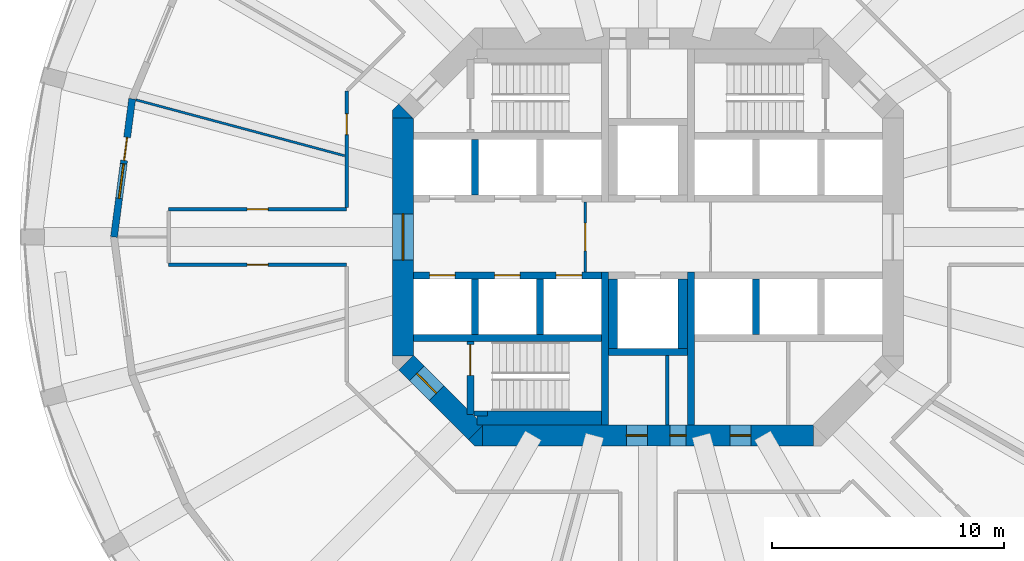
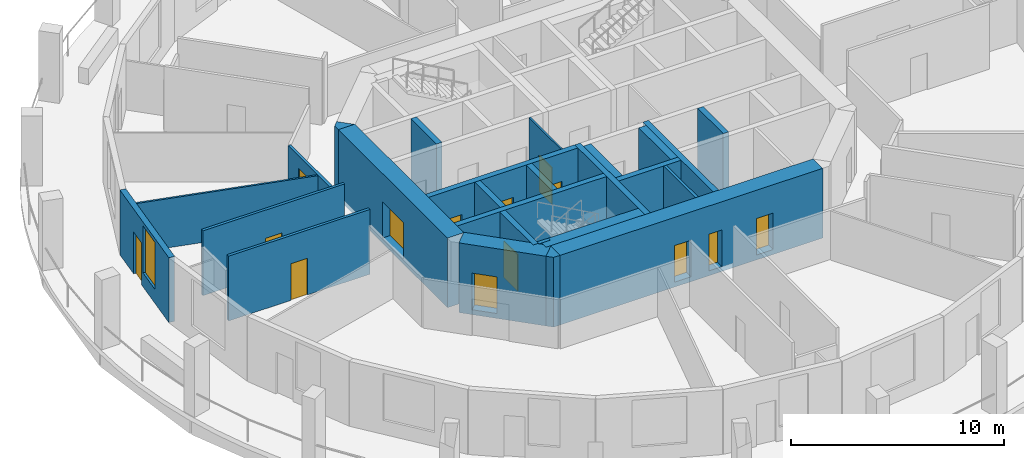
# One storey, part 3 of 9: 26 walls, 14 doors, 1 window, 15 openings.
"""IFC4 building model written with IfcOpenShell, lengths in metres."""

from ifc_helpers import new_model, si_unit, direction, frame, frame_2d, origin, place, context, subcontext, project, spatial, polyline, rectangle, outline, extrude, material, layer, layer_set, type_object, element, fill, save


model = new_model("IFC4")

# Units and contexts
model_context = context("Model", 3, precision=1e-05, world=origin(), true_north=direction((0.0, 1.0)))
body_context = subcontext(model_context, "Body", "Model", "MODEL_VIEW")
ifc_project = project(units=[si_unit("LENGTHUNIT", "METRE"), si_unit("AREAUNIT", "SQUARE_METRE"), si_unit("VOLUMEUNIT", "CUBIC_METRE"), si_unit("PLANEANGLEUNIT", "RADIAN"), si_unit("MASSUNIT", "GRAM", prefix="KILO")], contexts=[model_context])

# Site, building, storey
site_placement = place(None, origin())
site = spatial("IfcSite", under=ifc_project, at=site_placement, CompositionType="ELEMENT")
building_placement = place(site_placement, origin())
building = spatial("IfcBuilding", under=site, at=building_placement, Name="Torre Triforio", CompositionType="ELEMENT")
storey_placement = place(building_placement, frame((0.0, 0.0, 31.0)))
storey = spatial("IfcBuildingStorey", under=building, at=storey_placement, Name="L05", CompositionType="ELEMENT", Elevation=31.0)

# Walls
ifc_material_1 = material(Name="Concrete C60", Category="concrete")
ifc_layer_1 = layer(ifc_material_1, 0.300048828125)
ifc_layer_set_1 = layer_set([ifc_layer_1], Name="Concrete C60")
wall_type_1 = type_object("IfcWallType", Name="Core wall 300 mm C60 EI 120", PredefinedType="SHEAR", material=ifc_layer_set_1)
for number, where, z_axis, x_axis, name in (
    (1, (-1.85009765625, -8.10009765625, 0.0), (0.0, 0.0, 1.0), (0.0, 1.0, 0.0), "Core wall"),
    (2, (1.85009765625, -8.10009765625, 0.0), (0.0, 0.0, 1.0), (0.0, 1.0, 0.0), "Core wall"),
):
    element("IfcWall", number, at=place(storey_placement, frame(where, z_axis=z_axis, x_axis=x_axis)), inside=storey, type_object=wall_type_1, Name=name, PredefinedType="SHEAR", context=body_context, shape_type="SweptSolid", body=[
        extrude(rectangle(XDim=6.60009765625, YDim=0.300048828125, at=frame_2d((3.300048828125, 0.0))), origin(), (0.0, 0.0, 1.0), 3.719970703125),
    ])

# Wall, openings, doors
ifc_layer_2 = layer(ifc_material_1, 0.89990234375)
ifc_layer_set_2 = layer_set([ifc_layer_2], Name="Concrete C60")
wall_type_2 = type_object("IfcWallType", Name="Core wall 900 mm C60 EI 120", PredefinedType="SHEAR", material=ifc_layer_set_2)
wall_1_placement = place(storey_placement, frame((-7.1298828125, -8.550048828125, -0.280029296875), z_axis=(0.0, 0.0, 1.0), x_axis=(1.0, 0.0, 0.0)))
wall_1 = element("IfcWall", 3, at=wall_1_placement, inside=storey, type_object=wall_type_2, Name="Core wall", PredefinedType="SHEAR", context=body_context, shape_type="SweptSolid", body=[
    extrude(rectangle(XDim=14.259765625, YDim=0.89990234375, at=frame_2d((7.1298828125, 0.0))), origin(), (0.0, 0.0, 1.0), 4.0),
])
opening_1_placement = place(wall_1_placement, frame((8.080078125, 0.0, 0.280029296875)))
opening_1 = element("IfcOpeningElement", 4, at=opening_1_placement, cuts=wall_1, Name="Opening RISER-S", PredefinedType="OPENING", context=body_context, shape_type="SweptSolid", body=[
    extrude(rectangle(XDim=0.699951171875, YDim=2.10009765625, at=frame_2d((0.35009765625, 1.050048828125))), frame((0.0, 0.4599609375, 0.0), z_axis=(0.0, -1.0, 0.0), x_axis=(1.0, 0.0, 0.0)), (0.0, 0.0, 1.0), 0.919921875),
])
opening_2_placement = place(wall_1_placement, frame((6.205078125, 0.0, 0.280029296875)))
opening_2 = element("IfcOpeningElement", 5, at=opening_2_placement, cuts=wall_1, Name="Opening SW-01B", PredefinedType="OPENING", context=body_context, shape_type="SweptSolid", body=[
    extrude(rectangle(XDim=0.89990234375, YDim=2.10009765625, at=frame_2d((0.449951171875, 1.050048828125))), frame((0.0, 0.4599609375, 0.0), z_axis=(0.0, -1.0, 0.0), x_axis=(1.0, 0.0, 0.0)), (0.0, 0.0, 1.0), 0.919921875),
])
opening_3_placement = place(wall_1_placement, frame((10.66748046875, 0.0, 0.280029296875)))
opening_3 = element("IfcOpeningElement", 6, at=opening_3_placement, cuts=wall_1, Name="Opening SE-01A", PredefinedType="OPENING", context=body_context, shape_type="SweptSolid", body=[
    extrude(rectangle(XDim=0.89990234375, YDim=2.10009765625, at=frame_2d((0.449951171875, 1.050048828125))), frame((0.0, 0.4599609375, 0.0), z_axis=(0.0, -1.0, 0.0), x_axis=(1.0, 0.0, 0.0)), (0.0, 0.0, 1.0), 0.919921875),
])
ifc_material_2 = material(Name="Hollow metal fire door leaf")
door_type_1 = type_object("IfcDoorType", Name="Riser door 700 x 2100 EI 60", OperationType="NOTDEFINED", PredefinedType="DOOR", material=ifc_material_2)
door_1_placement = place(opening_1_placement, origin())
door_1 = element("IfcDoor", 7, at=door_1_placement, inside=storey, type_object=door_type_1, Name="Core door RISER-S", OperationType="SINGLE_SWING_RIGHT", OverallHeight=2.10009765625, OverallWidth=0.699951171875, PredefinedType="DOOR", context=body_context, shape_type="SweptSolid", body=[
    extrude(rectangle(XDim=0.699951171875, YDim=2.10009765625, at=frame_2d((0.35009765625, 1.050048828125))), frame((0.0, 0.02490234375, 0.0), z_axis=(0.0, -1.0, 0.0), x_axis=(1.0, 0.0, 0.0)), (0.0, 0.0, 1.0), 0.050048828125),
])
fill(opening_1, door_1)
door_type_2 = type_object("IfcDoorType", Name="Room door 900 x 2100 EI 60", OperationType="NOTDEFINED", PredefinedType="DOOR", material=ifc_material_2)
door_2_placement = place(opening_2_placement, origin())
door_2 = element("IfcDoor", 8, at=door_2_placement, inside=storey, type_object=door_type_2, Name="Core door SW-01", OperationType="SINGLE_SWING_LEFT", OverallHeight=2.10009765625, OverallWidth=0.89990234375, PredefinedType="DOOR", context=body_context, shape_type="SweptSolid", body=[
    extrude(rectangle(XDim=0.89990234375, YDim=2.10009765625, at=frame_2d((0.449951171875, 1.050048828125))), frame((0.0, 0.02490234375, 0.0), z_axis=(0.0, -1.0, 0.0), x_axis=(1.0, 0.0, 0.0)), (0.0, 0.0, 1.0), 0.050048828125),
])
fill(opening_2, door_2)
door_3_placement = place(opening_3_placement, origin())
door_3 = element("IfcDoor", 9, at=door_3_placement, inside=storey, type_object=door_type_2, Name="Core door SE-01", OperationType="SINGLE_SWING_LEFT", OverallHeight=2.10009765625, OverallWidth=0.89990234375, PredefinedType="DOOR", context=body_context, shape_type="SweptSolid", body=[
    extrude(rectangle(XDim=0.89990234375, YDim=2.10009765625, at=frame_2d((0.449951171875, 1.050048828125))), frame((0.0, 0.02490234375, 0.0), z_axis=(0.0, -1.0, 0.0), x_axis=(1.0, 0.0, 0.0)), (0.0, 0.0, 1.0), 0.050048828125),
])
fill(opening_3, door_3)

# Wall, opening, door
wall_2_placement = place(storey_placement, frame((-10.550048828125, -5.1298828125, -0.280029296875), z_axis=(0.0, 0.0, 1.0), x_axis=(0.0, 1.0, 0.0)))
wall_2 = element("IfcWall", 10, at=wall_2_placement, inside=storey, type_object=wall_type_2, Name="Core wall", PredefinedType="SHEAR", context=body_context, shape_type="SweptSolid", body=[
    extrude(rectangle(XDim=10.259765625, YDim=0.89990234375, at=frame_2d((5.1298828125, 0.0))), origin(), (0.0, 0.0, 1.0), 4.0),
])
opening_4_placement = place(wall_2_placement, frame((4.1298828125, 0.0, 0.280029296875)))
opening_4 = element("IfcOpeningElement", 11, at=opening_4_placement, cuts=wall_2, Name="Opening W-RING", PredefinedType="OPENING", context=body_context, shape_type="SweptSolid", body=[
    extrude(rectangle(XDim=2.0, YDim=2.10009765625, at=frame_2d((1.0, 1.050048828125))), frame((0.0, 0.4599609375, 0.0), z_axis=(0.0, -1.0, 0.0), x_axis=(1.0, 0.0, 0.0)), (0.0, 0.0, 1.0), 0.919921875),
])
door_type_3 = type_object("IfcDoorType", Name="Lobby door 2000 x 2100 EI 60", OperationType="DOUBLE_DOOR_SINGLE_SWING", PredefinedType="DOOR", material=ifc_material_2)
door_4_placement = place(opening_4_placement, origin())
door_4 = element("IfcDoor", 12, at=door_4_placement, inside=storey, type_object=door_type_3, Name="Core door W-RING", OperationType="DOUBLE_DOOR_SINGLE_SWING", OverallHeight=2.10009765625, OverallWidth=2.0, PredefinedType="DOOR", context=body_context, shape_type="SweptSolid", body=[
    extrude(rectangle(XDim=2.0, YDim=2.10009765625, at=frame_2d((1.0, 1.050048828125))), frame((0.0, 0.02490234375, 0.0), z_axis=(0.0, -1.0, 0.0), x_axis=(1.0, 0.0, 0.0)), (0.0, 0.0, 1.0), 0.050048828125),
])
fill(opening_4, door_4)

wall_3_placement = place(storey_placement, frame((-7.418212890625, -8.418212890625, -0.280029296875), z_axis=(0.0, 0.0, 1.0), x_axis=(-0.707106781187, 0.707106781187, 0.0)))
wall_3 = element("IfcWall", 13, at=wall_3_placement, inside=storey, type_object=wall_type_2, Name="Core wall", PredefinedType="SHEAR", context=body_context, shape_type="SweptSolid", body=[
    extrude(rectangle(XDim=4.24267578125, YDim=0.89990234375, at=frame_2d((2.121337890625, 0.0))), origin(), (0.0, 0.0, 1.0), 4.0),
])
opening_5_placement = place(wall_3_placement, frame((2.392578125, 0.0, 0.280029296875)))
opening_5 = element("IfcOpeningElement", 14, at=opening_5_placement, cuts=wall_3, Name="Opening ST3-EXIT", PredefinedType="OPENING", context=body_context, shape_type="SweptSolid", body=[
    extrude(rectangle(XDim=1.199951171875, YDim=2.10009765625, at=frame_2d((0.60009765625, 1.050048828125))), frame((0.0, 0.4599609375, 0.0), z_axis=(0.0, -1.0, 0.0), x_axis=(1.0, 0.0, 0.0)), (0.0, 0.0, 1.0), 0.919921875),
])
door_type_4 = type_object("IfcDoorType", Name="Stair lobby door 1200 x 2100 EI 60", OperationType="NOTDEFINED", PredefinedType="DOOR", material=ifc_material_2)
door_5_placement = place(opening_5_placement, origin())
door_5 = element("IfcDoor", 15, at=door_5_placement, inside=storey, type_object=door_type_4, Name="Core door ST3-EXIT", OperationType="SINGLE_SWING_RIGHT", OverallHeight=2.10009765625, OverallWidth=1.199951171875, PredefinedType="DOOR", context=body_context, shape_type="SweptSolid", body=[
    extrude(rectangle(XDim=1.199951171875, YDim=2.10009765625, at=frame_2d((0.60009765625, 1.050048828125))), frame((0.0, 0.02490234375, 0.0), z_axis=(0.0, -1.0, 0.0), x_axis=(1.0, 0.0, 0.0)), (0.0, 0.0, 1.0), 0.050048828125),
])
fill(opening_5, door_5)

# Walls
wall_4_placement = place(storey_placement, frame((0.0, 0.0, -0.280029296875)))
element("IfcWall", 16, at=wall_4_placement, inside=storey, type_object=wall_type_2, Name="Core wall", PredefinedType="SHEAR", context=body_context, shape_type="SweptSolid", body=[
    extrude(outline(polyline([(-7.472900390625, -9.0), (-7.736328125, -8.736328125), (-7.1298828125, -8.1298828125), (-7.1298828125, -9.0), (-7.472900390625, -9.0)])), origin(), (0.0, 0.0, 1.0), 4.0),
])
wall_5_placement = place(storey_placement, frame((0.0, 0.0, -0.280029296875)))
element("IfcWall", 17, at=wall_5_placement, inside=storey, type_object=wall_type_2, Name="Core wall", PredefinedType="SHEAR", context=body_context, shape_type="SweptSolid", body=[
    extrude(outline(polyline([(-10.736328125, 5.736328125), (-10.1298828125, 5.1298828125), (-11.0, 5.1298828125), (-11.0, 5.472900390625), (-10.736328125, 5.736328125)])), origin(), (0.0, 0.0, 1.0), 4.0),
])

# Wall, opening, door
ifc_material_3 = material(Name="Plasterboard on metal studs")
ifc_layer_3 = layer(ifc_material_3, 0.14990234375)
ifc_layer_set_3 = layer_set([ifc_layer_3], Name="Plasterboard on metal studs")
wall_type_3 = type_object("IfcWallType", Name="Corridor and tenancy wall 150 mm EI 60", PredefinedType="PARTITIONING", material=ifc_layer_set_3)
wall_6_placement = place(storey_placement, frame((-12.97509765625, -1.199951171875, 0.0), z_axis=(0.0, 0.0, 1.0), x_axis=(-1.0, 0.0, 0.0)))
wall_6 = element("IfcWall", 18, at=wall_6_placement, inside=storey, type_object=wall_type_3, Name="Partition 12", PredefinedType="PARTITIONING", context=body_context, shape_type="SweptSolid", body=[
    extrude(rectangle(XDim=7.673583984375, YDim=0.14990234375, at=frame_2d((3.8369140625, 0.0))), origin(), (0.0, 0.0, 1.0), 3.719970703125),
])
opening_6_placement = place(wall_6_placement, frame((3.386962890625, 0.0, 0.0)))
opening_6 = element("IfcOpeningElement", 19, at=opening_6_placement, cuts=wall_6, Name="Opening N1-08", PredefinedType="OPENING", context=body_context, shape_type="SweptSolid", body=[
    extrude(rectangle(XDim=0.89990234375, YDim=2.10009765625, at=frame_2d((0.449951171875, 1.050048828125))), frame((0.0, 0.0849609375, 0.0), z_axis=(0.0, -1.0, 0.0), x_axis=(1.0, 0.0, 0.0)), (0.0, 0.0, 1.0), 0.169921875),
])
ifc_material_4 = material(Name="Timber", Category="wood")
door_type_5 = type_object("IfcDoorType", Name="Door 900 x 2100 single leaf EI 30", OperationType="NOTDEFINED", PredefinedType="DOOR", material=ifc_material_4)
door_6_placement = place(opening_6_placement, origin())
door_6 = element("IfcDoor", 20, at=door_6_placement, inside=storey, type_object=door_type_5, Name="Door N1-08", OperationType="SINGLE_SWING_RIGHT", OverallHeight=2.10009765625, OverallWidth=0.89990234375, PredefinedType="DOOR", context=body_context, shape_type="SweptSolid", body=[
    extrude(rectangle(XDim=0.89990234375, YDim=2.10009765625, at=frame_2d((0.449951171875, 1.050048828125))), frame((0.0, 0.02490234375, 0.0), z_axis=(0.0, -1.0, 0.0), x_axis=(1.0, 0.0, 0.0)), (0.0, 0.0, 1.0), 0.050048828125),
])
fill(opening_6, door_6)

wall_7_placement = place(storey_placement, frame((-20.648681640625, 1.199951171875, 0.0), z_axis=(0.0, 0.0, 1.0), x_axis=(1.0, 0.0, 0.0)))
wall_7 = element("IfcWall", 21, at=wall_7_placement, inside=storey, type_object=wall_type_3, Name="Partition 14", PredefinedType="PARTITIONING", context=body_context, shape_type="SweptSolid", body=[
    extrude(rectangle(XDim=7.673583984375, YDim=0.14990234375, at=frame_2d((3.8369140625, 0.0))), origin(), (0.0, 0.0, 1.0), 3.719970703125),
])
opening_7_placement = place(wall_7_placement, frame((3.386962890625, 0.0, 0.0)))
opening_7 = element("IfcOpeningElement", 22, at=opening_7_placement, cuts=wall_7, Name="Opening N1-07", PredefinedType="OPENING", context=body_context, shape_type="SweptSolid", body=[
    extrude(rectangle(XDim=0.89990234375, YDim=2.10009765625, at=frame_2d((0.449951171875, 1.050048828125))), frame((0.0, 0.0849609375, 0.0), z_axis=(0.0, -1.0, 0.0), x_axis=(1.0, 0.0, 0.0)), (0.0, 0.0, 1.0), 0.169921875),
])
door_7_placement = place(opening_7_placement, origin())
door_7 = element("IfcDoor", 23, at=door_7_placement, inside=storey, type_object=door_type_5, Name="Door N1-07", OperationType="SINGLE_SWING_RIGHT", OverallHeight=2.10009765625, OverallWidth=0.89990234375, PredefinedType="DOOR", context=body_context, shape_type="SweptSolid", body=[
    extrude(rectangle(XDim=0.89990234375, YDim=2.10009765625, at=frame_2d((0.449951171875, 1.050048828125))), frame((0.0, 0.02490234375, 0.0), z_axis=(0.0, -1.0, 0.0), x_axis=(1.0, 0.0, 0.0)), (0.0, 0.0, 1.0), 0.050048828125),
])
fill(opening_7, door_7)

wall_8_placement = place(storey_placement, frame((-12.97509765625, 1.27490234375, 0.0), z_axis=(0.0, 0.0, 1.0), x_axis=(0.0, 1.0, 0.0)))
wall_8 = element("IfcWall", 24, at=wall_8_placement, inside=storey, type_object=wall_type_3, Name="Partition 15", PredefinedType="PARTITIONING", context=body_context, shape_type="SweptSolid", body=[
    extrude(rectangle(XDim=5.01611328125, YDim=0.14990234375, at=frame_2d((2.508056640625, 0.0))), origin(), (0.0, 0.0, 1.0), 2.820068359375),
])
opening_8_placement = place(wall_8_placement, frame((3.1337890625, 0.0, 0.0)))
opening_8 = element("IfcOpeningElement", 25, at=opening_8_placement, cuts=wall_8, Name="Opening N1-06", PredefinedType="OPENING", context=body_context, shape_type="SweptSolid", body=[
    extrude(rectangle(XDim=0.89990234375, YDim=2.10009765625, at=frame_2d((0.449951171875, 1.050048828125))), frame((0.0, 0.0849609375, 0.0), z_axis=(0.0, -1.0, 0.0), x_axis=(1.0, 0.0, 0.0)), (0.0, 0.0, 1.0), 0.169921875),
])
door_8_placement = place(opening_8_placement, origin())
door_8 = element("IfcDoor", 26, at=door_8_placement, inside=storey, type_object=door_type_5, Name="Door N1-06", OperationType="SINGLE_SWING_LEFT", OverallHeight=2.10009765625, OverallWidth=0.89990234375, PredefinedType="DOOR", context=body_context, shape_type="SweptSolid", body=[
    extrude(rectangle(XDim=0.89990234375, YDim=2.10009765625, at=frame_2d((0.449951171875, 1.050048828125))), frame((0.0, 0.02490234375, 0.0), z_axis=(0.0, -1.0, 0.0), x_axis=(1.0, 0.0, 0.0)), (0.0, 0.0, 1.0), 0.050048828125),
])
fill(opening_8, door_8)

ifc_material_5 = material(Name="Block and board partition")
ifc_layer_4 = layer(ifc_material_5, 0.10009765625)
ifc_layer_set_4 = layer_set([ifc_layer_4], Name="Block and board partition")
wall_type_4 = type_object("IfcWallType", Name="Partition 100 mm EI 120", PredefinedType="PARTITIONING", material=ifc_layer_set_4)
wall_9_placement = place(storey_placement, frame((-2.699951171875, -1.5, 0.0), z_axis=(0.0, 0.0, 1.0), x_axis=(0.0, 1.0, 0.0)))
wall_9 = element("IfcWall", 27, at=wall_9_placement, inside=storey, type_object=wall_type_4, Name="Partition", PredefinedType="PARTITIONING", context=body_context, shape_type="SweptSolid", body=[
    extrude(rectangle(XDim=3.0, YDim=0.10009765625, at=frame_2d((1.5, 0.0))), origin(), (0.0, 0.0, 1.0), 3.719970703125),
])
opening_9_placement = place(wall_9_placement, frame((0.89990234375, 0.0, 0.0)))
opening_9 = element("IfcOpeningElement", 28, at=opening_9_placement, cuts=wall_9, Name="Opening FF-W", PredefinedType="OPENING", context=body_context, shape_type="SweptSolid", body=[
    extrude(rectangle(XDim=1.199951171875, YDim=2.10009765625, at=frame_2d((0.60009765625, 1.050048828125))), frame((0.0, 0.06005859375, 0.0), z_axis=(0.0, -1.0, 0.0), x_axis=(1.0, 0.0, 0.0)), (0.0, 0.0, 1.0), 0.1201171875),
])
door_type_6 = type_object("IfcDoorType", Name="Fire-fighting lobby door 1200 x 2100 EI 60", OperationType="NOTDEFINED", PredefinedType="DOOR", material=ifc_material_2)
door_9_placement = place(opening_9_placement, origin())
door_9 = element("IfcDoor", 29, at=door_9_placement, inside=storey, type_object=door_type_6, Name="Core door FF-W", OperationType="SINGLE_SWING_LEFT", OverallHeight=2.10009765625, OverallWidth=1.199951171875, PredefinedType="DOOR", context=body_context, shape_type="SweptSolid", body=[
    extrude(rectangle(XDim=1.199951171875, YDim=2.10009765625, at=frame_2d((0.60009765625, 1.050048828125))), frame((0.0, 0.02490234375, 0.0), z_axis=(0.0, -1.0, 0.0), x_axis=(1.0, 0.0, 0.0)), (0.0, 0.0, 1.0), 0.050048828125),
])
fill(opening_9, door_9)

# Walls
ifc_layer_5 = layer(ifc_material_3, 0.10009765625)
ifc_layer_set_5 = layer_set([ifc_layer_5], Name="Plasterboard on metal studs")
wall_type_5 = type_object("IfcWallType", Name="Partition 100 mm board on metal studs", PredefinedType="PARTITIONING", material=ifc_layer_set_5)
wall_10_placement = place(storey_placement, frame((-13.064208984375, 3.50048828125, 0.0), z_axis=(0.0, 0.0, 1.0), x_axis=(-0.965922655056, 0.258830880017, 0.0)))
element("IfcWall", 30, at=wall_10_placement, inside=storey, type_object=wall_type_5, Name="Partition 41", PredefinedType="PARTITIONING", context=body_context, shape_type="SweptSolid", body=[
    extrude(rectangle(XDim=9.311767578125, YDim=0.10009765625, at=frame_2d((4.65576171875, 0.0))), origin(), (0.0, 0.0, 1.0), 2.820068359375),
])
ifc_layer_6 = layer(ifc_material_5, 0.14990234375)
ifc_layer_set_6 = layer_set([ifc_layer_6], Name="Block and board partition")
wall_type_6 = type_object("IfcWallType", Name="Partition 150 mm EI 120", PredefinedType="PARTITIONING", material=ifc_layer_set_6)
wall_11_placement = place(storey_placement, frame((0.824951171875, -8.10009765625, 0.0), z_axis=(0.0, 0.0, 1.0), x_axis=(0.0, 1.0, 0.0)))
element("IfcWall", 31, at=wall_11_placement, inside=storey, type_object=wall_type_6, Name="Partition", PredefinedType="PARTITIONING", context=body_context, shape_type="SweptSolid", body=[
    extrude(rectangle(XDim=3.0, YDim=0.14990234375, at=frame_2d((1.5, 0.0))), origin(), (0.0, 0.0, 1.0), 3.719970703125),
])
ifc_layer_7 = layer(ifc_material_1, 0.300048828125)
ifc_layer_set_7 = layer_set([ifc_layer_7], Name="Concrete C60")
wall_type_7 = type_object("IfcWallType", Name="Shaft wall 300 mm C60 EI 120", PredefinedType="SOLIDWALL", material=ifc_layer_set_7)
wall_12_placement = place(storey_placement, frame((-10.10009765625, -4.35009765625, 0.0), z_axis=(0.0, 0.0, 1.0), x_axis=(1.0, 0.0, 0.0)))
element("IfcWall", 32, at=wall_12_placement, inside=storey, type_object=wall_type_7, Name="Shaft wall", PredefinedType="SOLIDWALL", context=body_context, shape_type="SweptSolid", body=[
    extrude(rectangle(XDim=8.10009765625, YDim=0.300048828125, at=frame_2d((4.050048828125, 0.0))), origin(), (0.0, 0.0, 1.0), 3.719970703125),
])

# Wall, openings, doors
wall_13_placement = place(storey_placement, frame((-10.10009765625, -1.64990234375, 0.0), z_axis=(0.0, 0.0, 1.0), x_axis=(1.0, 0.0, 0.0)))
wall_13 = element("IfcWall", 33, at=wall_13_placement, inside=storey, type_object=wall_type_7, Name="Shaft wall", PredefinedType="SOLIDWALL", context=body_context, shape_type="SweptSolid", body=[
    extrude(rectangle(XDim=8.10009765625, YDim=0.300048828125, at=frame_2d((4.050048828125, 0.0))), origin(), (0.0, 0.0, 1.0), 3.719970703125),
])
opening_10_placement = place(wall_13_placement, frame((0.699951171875, 0.0, 0.0)))
opening_10 = element("IfcOpeningElement", 34, at=opening_10_placement, cuts=wall_13, Name="Opening LD", PredefinedType="OPENING", context=body_context, shape_type="SweptSolid", body=[
    extrude(rectangle(XDim=1.10009765625, YDim=2.10009765625, at=frame_2d((0.550048828125, 1.050048828125))), frame((0.0, 0.159912109375, 0.0), z_axis=(0.0, -1.0, 0.0), x_axis=(1.0, 0.0, 0.0)), (0.0, 0.0, 1.0), 0.320068359375),
])
opening_11_placement = place(wall_13_placement, frame((3.5, 0.0, 0.0)))
opening_11 = element("IfcOpeningElement", 35, at=opening_11_placement, cuts=wall_13, Name="Opening LD", PredefinedType="OPENING", context=body_context, shape_type="SweptSolid", body=[
    extrude(rectangle(XDim=1.10009765625, YDim=2.10009765625, at=frame_2d((0.550048828125, 1.050048828125))), frame((0.0, 0.159912109375, 0.0), z_axis=(0.0, -1.0, 0.0), x_axis=(1.0, 0.0, 0.0)), (0.0, 0.0, 1.0), 0.320068359375),
])
opening_12_placement = place(wall_13_placement, frame((6.14990234375, 0.0, 0.0)))
opening_12 = element("IfcOpeningElement", 36, at=opening_12_placement, cuts=wall_13, Name="Opening LD", PredefinedType="OPENING", context=body_context, shape_type="SweptSolid", body=[
    extrude(rectangle(XDim=1.10009765625, YDim=2.10009765625, at=frame_2d((0.550048828125, 1.050048828125))), frame((0.0, 0.159912109375, 0.0), z_axis=(0.0, -1.0, 0.0), x_axis=(1.0, 0.0, 0.0)), (0.0, 0.0, 1.0), 0.320068359375),
])
door_type_7 = type_object("IfcDoorType", Name="Landing door 1100 x 2100 EI 60", OperationType="DOUBLE_DOOR_SLIDING", PredefinedType="DOOR", material=ifc_material_2)
door_10_placement = place(opening_10_placement, origin())
door_10 = element("IfcDoor", 37, at=door_10_placement, inside=storey, type_object=door_type_7, Name="Landing door LR4", OperationType="DOUBLE_DOOR_SLIDING", OverallHeight=2.10009765625, OverallWidth=1.10009765625, PredefinedType="DOOR", context=body_context, shape_type="SweptSolid", body=[
    extrude(rectangle(XDim=1.10009765625, YDim=2.10009765625, at=frame_2d((0.550048828125, 1.050048828125))), frame((0.0, 0.02490234375, 0.0), z_axis=(0.0, -1.0, 0.0), x_axis=(1.0, 0.0, 0.0)), (0.0, 0.0, 1.0), 0.050048828125),
])
fill(opening_10, door_10)
door_11_placement = place(opening_11_placement, origin())
door_11 = element("IfcDoor", 38, at=door_11_placement, inside=storey, type_object=door_type_7, Name="Landing door LR5", OperationType="DOUBLE_DOOR_SLIDING", OverallHeight=2.10009765625, OverallWidth=1.10009765625, PredefinedType="DOOR", context=body_context, shape_type="SweptSolid", body=[
    extrude(rectangle(XDim=1.10009765625, YDim=2.10009765625, at=frame_2d((0.550048828125, 1.050048828125))), frame((0.0, 0.02490234375, 0.0), z_axis=(0.0, -1.0, 0.0), x_axis=(1.0, 0.0, 0.0)), (0.0, 0.0, 1.0), 0.050048828125),
])
fill(opening_11, door_11)
door_12_placement = place(opening_12_placement, origin())
door_12 = element("IfcDoor", 39, at=door_12_placement, inside=storey, type_object=door_type_7, Name="Landing door LR6", OperationType="DOUBLE_DOOR_SLIDING", OverallHeight=2.10009765625, OverallWidth=1.10009765625, PredefinedType="DOOR", context=body_context, shape_type="SweptSolid", body=[
    extrude(rectangle(XDim=1.10009765625, YDim=2.10009765625, at=frame_2d((0.550048828125, 1.050048828125))), frame((0.0, 0.02490234375, 0.0), z_axis=(0.0, -1.0, 0.0), x_axis=(1.0, 0.0, 0.0)), (0.0, 0.0, 1.0), 0.050048828125),
])
fill(opening_12, door_12)

# Walls
for number, where, z_axis, x_axis, name in (
    (40, (-7.449951171875, 1.800048828125, 0.0), (0.0, 0.0, 1.0), (0.0, 1.0, 0.0), "Shaft wall"),
    (41, (-7.449951171875, -4.199951171875, 0.0), (0.0, 0.0, 1.0), (0.0, 1.0, 0.0), "Shaft wall"),
    (42, (-4.64990234375, -4.199951171875, 0.0), (0.0, 0.0, 1.0), (0.0, 1.0, 0.0), "Shaft wall"),
    (43, (4.64990234375, -4.199951171875, 0.0), (0.0, 0.0, 1.0), (0.0, 1.0, 0.0), "Shaft wall"),
):
    element("IfcWall", number, at=place(storey_placement, frame(where, z_axis=z_axis, x_axis=x_axis)), inside=storey, type_object=wall_type_7, Name=name, PredefinedType="SOLIDWALL", context=body_context, shape_type="SweptSolid", body=[
        extrude(rectangle(XDim=2.39990234375, YDim=0.300048828125, at=frame_2d((1.199951171875, 0.0))), origin(), (0.0, 0.0, 1.0), 3.719970703125),
    ])
wall_14_placement = place(storey_placement, frame((-1.699951171875, -4.949951171875, 0.0), z_axis=(0.0, 0.0, 1.0), x_axis=(1.0, 0.0, 0.0)))
element("IfcWall", 44, at=wall_14_placement, inside=storey, type_object=wall_type_7, Name="Shaft wall", PredefinedType="SOLIDWALL", context=body_context, shape_type="SweptSolid", body=[
    extrude(rectangle(XDim=3.39990234375, YDim=0.300048828125, at=frame_2d((1.699951171875, 0.0))), origin(), (0.0, 0.0, 1.0), 3.719970703125),
])
ifc_layer_8 = layer(ifc_material_1, 0.39990234375)
ifc_layer_set_8 = layer_set([ifc_layer_8], Name="Concrete C60")
wall_type_8 = type_object("IfcWallType", Name="Shaft wall 400 mm C60 EI 120", PredefinedType="SOLIDWALL", material=ifc_layer_set_8)
for number, where, z_axis, x_axis, name in (
    (45, (-1.5, -4.800048828125, 0.0), (0.0, 0.0, 1.0), (0.0, 1.0, 0.0), "Shaft wall"),
    (46, (1.5, -4.800048828125, 0.0), (0.0, 0.0, 1.0), (0.0, 1.0, 0.0), "Shaft wall"),
):
    element("IfcWall", number, at=place(storey_placement, frame(where, z_axis=z_axis, x_axis=x_axis)), inside=storey, type_object=wall_type_8, Name=name, PredefinedType="SOLIDWALL", context=body_context, shape_type="SweptSolid", body=[
        extrude(rectangle(XDim=3.0, YDim=0.39990234375, at=frame_2d((1.5, 0.0))), origin(), (0.0, 0.0, 1.0), 3.719970703125),
    ])
ifc_layer_9 = layer(ifc_material_1, 0.199951171875)
ifc_layer_set_9 = layer_set([ifc_layer_9], Name="Concrete C60")
wall_type_9 = type_object("IfcWallType", Name="Stair wall 200 mm C60 EI 120", PredefinedType="SHEAR", material=ifc_layer_set_9)
wall_15_placement = place(storey_placement, frame((-7.5, -7.60009765625, 0.0), z_axis=(0.0, 0.0, 1.0), x_axis=(1.0, 0.0, 0.0)))
element("IfcWall", 47, at=wall_15_placement, inside=storey, type_object=wall_type_9, Name="Stair wall", PredefinedType="SHEAR", context=body_context, shape_type="SweptSolid", body=[
    extrude(rectangle(XDim=0.60009765625, YDim=0.199951171875, at=frame_2d((0.300048828125, 0.0))), origin(), (0.0, 0.0, 1.0), 3.719970703125),
])

# Wall, opening, door
ifc_layer_10 = layer(ifc_material_1, 0.300048828125)
ifc_layer_set_10 = layer_set([ifc_layer_10], Name="Concrete C60")
wall_type_10 = type_object("IfcWallType", Name="Stair wall 300 mm C60 EI 120", PredefinedType="SHEAR", material=ifc_layer_set_10)
wall_16_placement = place(storey_placement, frame((-7.64990234375, -7.639892578125, 0.0), z_axis=(0.0, 0.0, 1.0), x_axis=(0.0, 1.0, 0.0)))
wall_16 = element("IfcWall", 48, at=wall_16_placement, inside=storey, type_object=wall_type_10, Name="Stair wall", PredefinedType="SHEAR", context=body_context, shape_type="SweptSolid", body=[
    extrude(rectangle(XDim=3.139892578125, YDim=0.300048828125, at=frame_2d((1.56982421875, 0.0))), origin(), (0.0, 0.0, 1.0), 3.719970703125),
])
opening_13_placement = place(wall_16_placement, frame((1.679931640625, 0.0, 0.0)))
opening_13 = element("IfcOpeningElement", 49, at=opening_13_placement, cuts=wall_16, Name="Opening ST3-STA", PredefinedType="OPENING", context=body_context, shape_type="SweptSolid", body=[
    extrude(rectangle(XDim=1.320068359375, YDim=2.10009765625, at=frame_2d((0.66015625, 1.050048828125))), frame((0.0, 0.159912109375, 0.0), z_axis=(0.0, -1.0, 0.0), x_axis=(1.0, 0.0, 0.0)), (0.0, 0.0, 1.0), 0.320068359375),
])
door_type_8 = type_object("IfcDoorType", Name="Stair door 1320 x 2100 EI 90", OperationType="DOUBLE_DOOR_SINGLE_SWING", PredefinedType="DOOR", material=ifc_material_2)
door_13_placement = place(opening_13_placement, origin())
door_13 = element("IfcDoor", 50, at=door_13_placement, inside=storey, type_object=door_type_8, Name="Core door ST3-ST", OperationType="DOUBLE_DOOR_SINGLE_SWING", OverallHeight=2.10009765625, OverallWidth=1.320068359375, PredefinedType="DOOR", context=body_context, shape_type="SweptSolid", body=[
    extrude(rectangle(XDim=1.320068359375, YDim=2.10009765625, at=frame_2d((0.66015625, 1.050048828125))), frame((0.0, 0.02490234375, 0.0), z_axis=(0.0, -1.0, 0.0), x_axis=(1.0, 0.0, 0.0)), (0.0, 0.0, 1.0), 0.050048828125),
])
fill(opening_13, door_13)

# Wall
ifc_layer_11 = layer(ifc_material_1, 0.60009765625)
ifc_layer_set_11 = layer_set([ifc_layer_11], Name="Concrete C60")
wall_type_11 = type_object("IfcWallType", Name="Stair wall 600 mm C60 EI 120", PredefinedType="SHEAR", material=ifc_layer_set_11)
wall_17_placement = place(storey_placement, frame((-7.3701171875, -7.800048828125, 0.0), z_axis=(0.0, 0.0, 1.0), x_axis=(1.0, 0.0, 0.0)))
element("IfcWall", 51, at=wall_17_placement, inside=storey, type_object=wall_type_11, Name="Stair wall", PredefinedType="SHEAR", context=body_context, shape_type="SweptSolid", body=[
    extrude(rectangle(XDim=5.3701171875, YDim=0.60009765625, at=frame_2d((2.68505859375, 0.0))), origin(), (0.0, 0.0, 1.0), 3.719970703125),
])

# Wall, openings, door, window
ifc_material_6 = material(Name="Limestone cladding", Category="masonry")
ifc_layer_12 = layer(ifc_material_6, 0.10009765625)
ifc_material_7 = material(Name="Concrete C40", Category="concrete")
ifc_layer_13 = layer(ifc_material_7, 0.199951171875)
ifc_layer_set_12 = layer_set([ifc_layer_12, ifc_layer_13], Name="Limestone cladding / Concrete C40")
wall_type_12 = type_object("IfcWallType", Name="Stone-faced composite wall 300", PredefinedType="STANDARD", material=ifc_layer_set_12)
wall_18_placement = place(storey_placement, frame((-22.21630859375, 5.952880859375, 0.0), z_axis=(0.0, 0.0, 1.0), x_axis=(-0.130522880875, -0.991445297315, 0.0)))
wall_18 = element("IfcWall", 52, at=wall_18_placement, inside=storey, type_object=wall_type_12, Name="External wall L05 bay 12", PredefinedType="STANDARD", context=body_context, shape_type="SweptSolid", body=[
    extrude(rectangle(XDim=6.004150390625, YDim=0.300048828125, at=frame_2d((3.001953125, 0.0))), origin(), (0.0, 0.0, 1.0), 3.719970703125),
])
opening_14_placement = place(wall_18_placement, frame((1.677001953125, 0.0, 0.0)))
opening_14 = element("IfcOpeningElement", 53, at=opening_14_placement, cuts=wall_18, Name="Opening N1-D12", PredefinedType="OPENING", context=body_context, shape_type="SweptSolid", body=[
    extrude(rectangle(XDim=1.0, YDim=2.39990234375, at=frame_2d((0.5, 1.199951171875))), frame((0.0, 0.159912109375, 0.0), z_axis=(0.0, -1.0, 0.0), x_axis=(1.0, 0.0, 0.0)), (0.0, 0.0, 1.0), 0.320068359375),
])
opening_15_placement = place(wall_18_placement, frame((2.8271484375, 0.0, 0.800048828125)))
opening_15 = element("IfcOpeningElement", 54, at=opening_15_placement, cuts=wall_18, Name="Opening N1-W12A", PredefinedType="OPENING", context=body_context, shape_type="SweptSolid", body=[
    extrude(rectangle(XDim=1.5, YDim=2.699951171875, at=frame_2d((0.75, 1.35009765625))), frame((0.0, 0.159912109375, 0.0), z_axis=(0.0, -1.0, 0.0), x_axis=(1.0, 0.0, 0.0)), (0.0, 0.0, 1.0), 0.320068359375),
])
ifc_material_8 = material(Name="Aluminium frame with clear double glazing", Category="aluminium")
door_type_9 = type_object("IfcDoorType", Name="Loggia door 1000 x 2400", OperationType="NOTDEFINED", PredefinedType="DOOR", material=ifc_material_8)
door_14_placement = place(opening_14_placement, origin())
door_14 = element("IfcDoor", 55, at=door_14_placement, inside=storey, type_object=door_type_9, Name="Loggia door L05 bay 12", OperationType="SINGLE_SWING_RIGHT", OverallHeight=2.39990234375, OverallWidth=1.0, PredefinedType="DOOR", context=body_context, shape_type="SweptSolid", body=[
    extrude(rectangle(XDim=1.0, YDim=2.39990234375, at=frame_2d((0.5, 1.199951171875))), frame((0.0, 0.02490234375, 0.0), z_axis=(0.0, -1.0, 0.0), x_axis=(1.0, 0.0, 0.0)), (0.0, 0.0, 1.0), 0.050048828125),
])
fill(opening_14, door_14)
window_type = type_object("IfcWindowType", Name="Side window 1500 x 2700", PartitioningType="SINGLE_PANEL", PredefinedType="WINDOW", material=ifc_material_8)
window_placement = place(opening_15_placement, origin())
window = element("IfcWindow", 56, at=window_placement, inside=storey, type_object=window_type, Name="Side window EWN12 L05 bay 12", OverallHeight=2.699951171875, OverallWidth=1.5, PartitioningType="SINGLE_PANEL", PredefinedType="WINDOW", context=body_context, shape_type="SweptSolid", body=[
    extrude(rectangle(XDim=1.5, YDim=2.699951171875, at=frame_2d((0.75, 1.35009765625))), frame((0.0, 0.030029296875, 0.0), z_axis=(0.0, -1.0, 0.0), x_axis=(1.0, 0.0, 0.0)), (0.0, 0.0, 1.0), 0.06005859375),
])
fill(opening_15, window)

save(model, "model.ifc")
